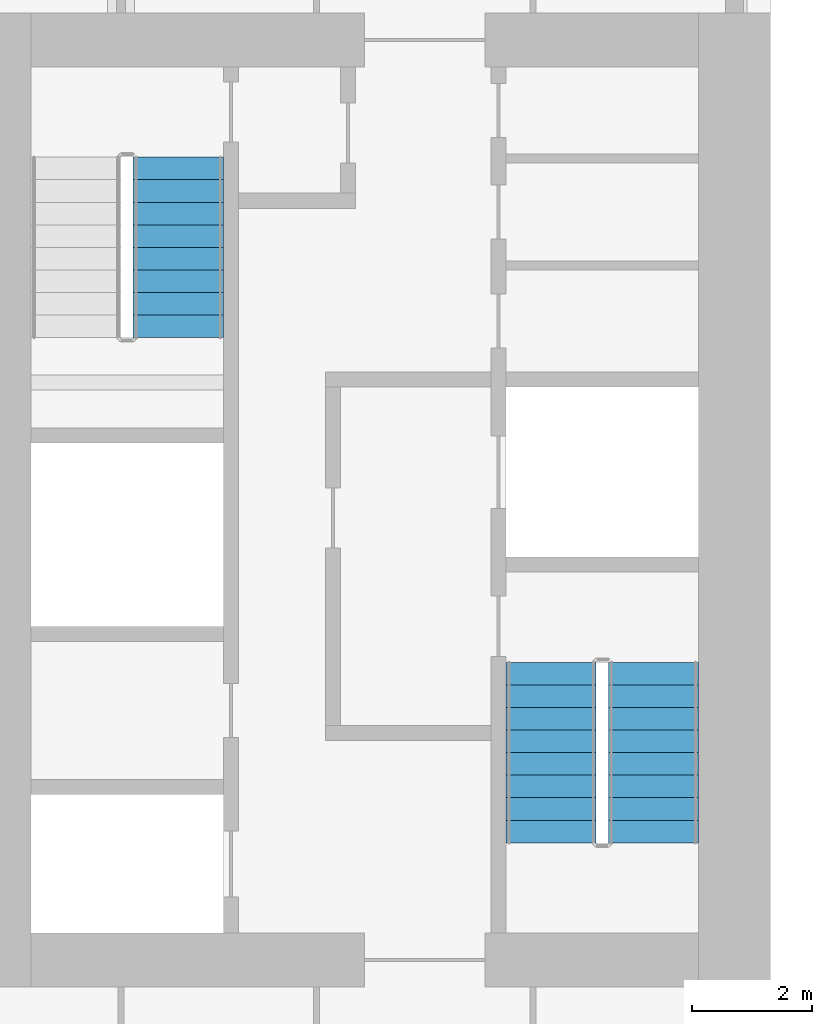
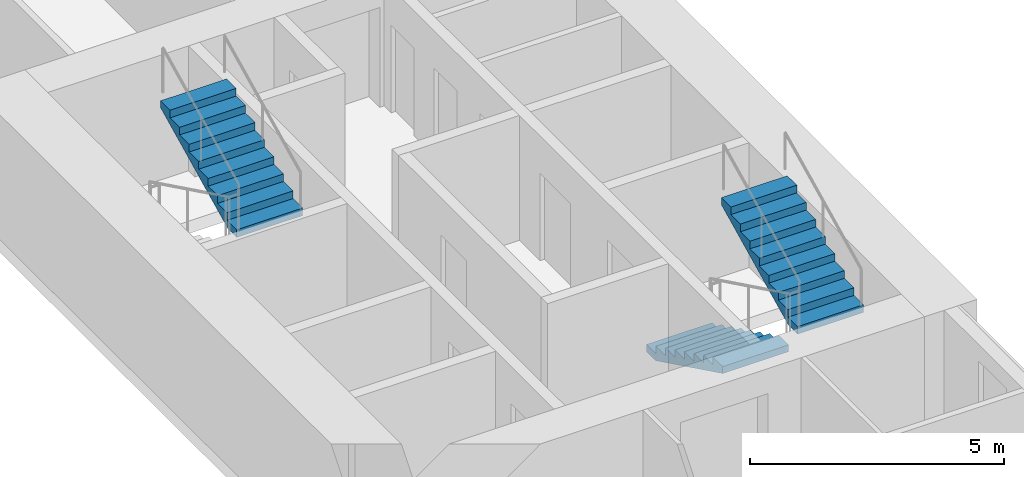
# One storey, part 12 of 14: 3 stair flights, 2 elements without a shape of their own.
"""IFC4 building model written with IfcOpenShell, lengths in metres."""

from ifc_helpers import new_model, si_unit, direction, frame, origin, place, context, subcontext, project, spatial, polyline, outline, extrude, material, type_object, element, aggregate, save


model = new_model("IFC4")

# Units and contexts
model_context = context("Model", 3, precision=1e-05, world=origin(), true_north=direction((0.0, 1.0)))
body_context = subcontext(model_context, "Body", "Model", "MODEL_VIEW")
ifc_project = project(units=[si_unit("LENGTHUNIT", "METRE"), si_unit("AREAUNIT", "SQUARE_METRE"), si_unit("VOLUMEUNIT", "CUBIC_METRE"), si_unit("PLANEANGLEUNIT", "RADIAN"), si_unit("MASSUNIT", "GRAM", prefix="KILO")], contexts=[model_context])

# Site, building, storey
site_placement = place(None, origin())
site = spatial("IfcSite", under=ifc_project, at=site_placement, CompositionType="ELEMENT")
building_placement = place(site_placement, origin())
building = spatial("IfcBuilding", under=site, at=building_placement, Name="Tabaq Tower and Sports Hall", CompositionType="ELEMENT")
storey_placement = place(building_placement, frame((0.0, 0.0, 223.60009765625)))
storey = spatial("IfcBuildingStorey", under=building, at=storey_placement, Name="L56", CompositionType="ELEMENT", Elevation=223.60009765625)

# Stair, stair flights
ifc_material_1 = material(Name="Concrete C40/50", Category="concrete")
stair_type = type_object("IfcStairType", Name="Exit stair", PredefinedType="HALF_TURN_STAIR", material=ifc_material_1)
stair_1_placement = place(storey_placement, origin())
stair_1 = element("IfcStair", 1, at=stair_1_placement, inside=storey, type_object=stair_type, Name="L56 Exit stair ST3", PredefinedType="HALF_TURN_STAIR")
ifc_material_2 = material(Name="Concrete C40/50", Category="concrete")
stair_flight_type = type_object("IfcStairFlightType", Name="Exit stair flight", PredefinedType="STRAIGHT", material=ifc_material_2)
stair_flight_1_placement = place(storey_placement, frame((39.550048828125, 21.60009765625, 0.0), z_axis=(0.0, 0.0, 1.0), x_axis=(0.0, -1.0, 0.0)))
stair_flight_1 = element("IfcStairFlight", 2, at=stair_flight_1_placement, type_object=stair_flight_type, Name="ST3 flight 1", NumberOfRisers=9, NumberOfTreads=8, PredefinedType="STRAIGHT", RiserHeight=0.183333333, TreadLength=0.375, context=body_context, shape_type="SweptSolid", body=[
    extrude(outline(polyline([(0.0, 0.0), (0.0, 0.183349609375), (0.375, 0.183349609375), (0.375, 0.36669921875), (0.75, 0.36669921875), (0.75, 0.550048828125), (1.125, 0.550048828125), (1.125, 0.7333984375), (1.5, 0.7333984375), (1.5, 0.916748046875), (1.875, 0.916748046875), (1.875, 1.10009765625), (2.25, 1.10009765625), (2.25, 1.283447265625), (2.625, 1.283447265625), (2.625, 1.466552734375), (3.0, 1.466552734375), (3.0, 1.64990234375), (3.0, 1.2998046875), (0.34130859375, 0.0), (0.0, 0.0)])), frame((0.0, 0.75, 0.0), z_axis=(0.0, -1.0, 0.0), x_axis=(1.0, 0.0, 0.0)), (0.0, 0.0, 1.0), 1.5),
])
stair_flight_2_placement = place(storey_placement, frame((41.25, 18.60009765625, 1.64990234375), z_axis=(0.0, 0.0, 1.0), x_axis=(0.0, 1.0, 0.0)))
stair_flight_2 = element("IfcStairFlight", 3, at=stair_flight_2_placement, type_object=stair_flight_type, Name="ST3 flight 2", NumberOfRisers=9, NumberOfTreads=8, PredefinedType="STRAIGHT", RiserHeight=0.183333333, TreadLength=0.375, context=body_context, shape_type="SweptSolid", body=[
    extrude(outline(polyline([(0.0, 0.0), (0.0, 0.183349609375), (0.375, 0.183349609375), (0.375, 0.36669921875), (0.75, 0.36669921875), (0.75, 0.550048828125), (1.125, 0.550048828125), (1.125, 0.7333984375), (1.5, 0.7333984375), (1.5, 0.916748046875), (1.875, 0.916748046875), (1.875, 1.10009765625), (2.25, 1.10009765625), (2.25, 1.283447265625), (2.625, 1.283447265625), (2.625, 1.466552734375), (3.0, 1.466552734375), (3.0, 1.64990234375), (3.0, 1.2998046875), (0.34130859375, 0.0), (0.0, 0.0)])), frame((0.0, 0.75, 0.0), z_axis=(0.0, -1.0, 0.0), x_axis=(1.0, 0.0, 0.0)), (0.0, 0.0, 1.0), 1.5),
])
aggregate(stair_1, [stair_flight_1, stair_flight_2])

# Stair, stair flight
stair_2_placement = place(storey_placement, origin())
stair_2 = element("IfcStair", 4, at=stair_2_placement, inside=storey, type_object=stair_type, Name="L56 Exit stair ST4", PredefinedType="HALF_TURN_STAIR")
stair_flight_3_placement = place(storey_placement, frame((33.35009765625, 27.0, 1.64990234375), z_axis=(0.0, 0.0, 1.0), x_axis=(0.0, 1.0, 0.0)))
stair_flight_3 = element("IfcStairFlight", 5, at=stair_flight_3_placement, type_object=stair_flight_type, Name="ST4 flight 2", NumberOfRisers=9, NumberOfTreads=8, PredefinedType="STRAIGHT", RiserHeight=0.183333333, TreadLength=0.375, context=body_context, shape_type="SweptSolid", body=[
    extrude(outline(polyline([(0.0, 0.0), (0.0, 0.183349609375), (0.375, 0.183349609375), (0.375, 0.36669921875), (0.75, 0.36669921875), (0.75, 0.550048828125), (1.125, 0.550048828125), (1.125, 0.7333984375), (1.5, 0.7333984375), (1.5, 0.916748046875), (1.875, 0.916748046875), (1.875, 1.10009765625), (2.25, 1.10009765625), (2.25, 1.283447265625), (2.625, 1.283447265625), (2.625, 1.466552734375), (3.0, 1.466552734375), (3.0, 1.64990234375), (3.0, 1.2998046875), (0.34130859375, 0.0), (0.0, 0.0)])), frame((0.0, 0.75, 0.0), z_axis=(0.0, -1.0, 0.0), x_axis=(1.0, 0.0, 0.0)), (0.0, 0.0, 1.0), 1.5),
])
aggregate(stair_2, [stair_flight_3])

save(model, "model.ifc")
